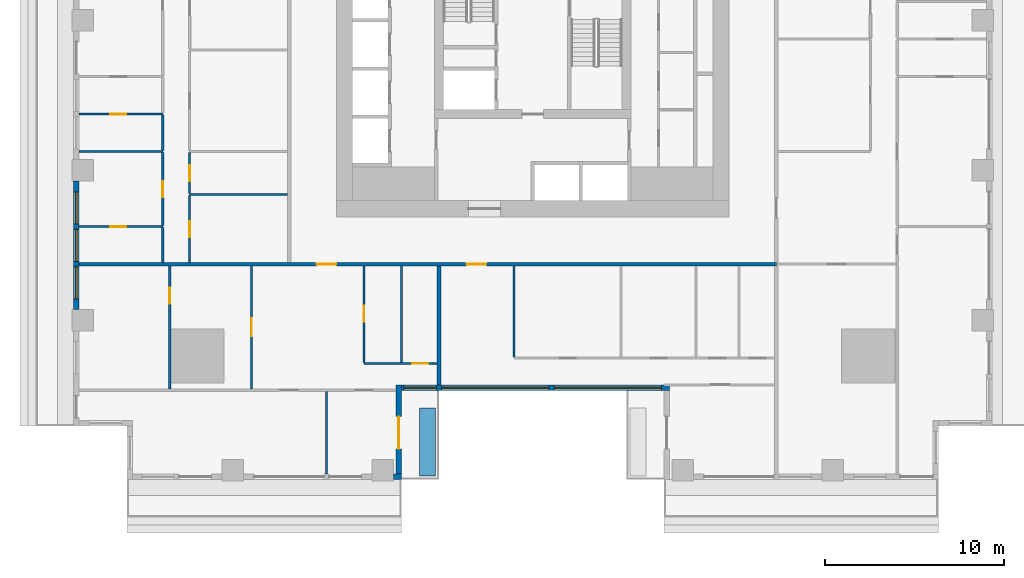
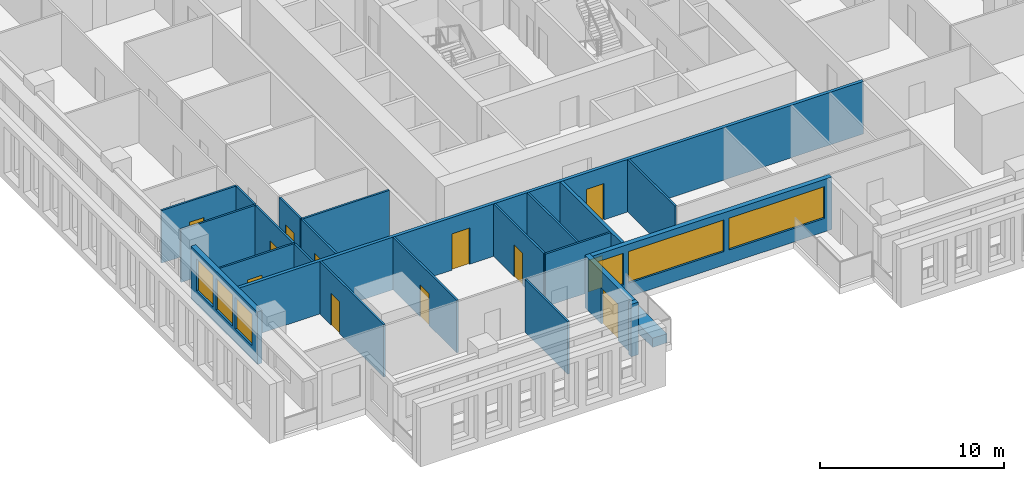
# One storey, part 2 of 15: 23 walls, 12 doors, 6 windows, 18 openings.
"""IFC4 building model written with IfcOpenShell, lengths in metres."""

from ifc_helpers import new_model, si_unit, direction, frame, frame_2d, origin, place, context, subcontext, project, spatial, rectangle, extrude, material, layer, layer_set, type_object, element, fill, save


model = new_model("IFC4")

# Units and contexts
model_context = context("Model", 3, precision=1e-05, world=origin(), true_north=direction((0.0, 1.0)))
body_context = subcontext(model_context, "Body", "Model", "MODEL_VIEW")
ifc_project = project(units=[si_unit("LENGTHUNIT", "METRE"), si_unit("AREAUNIT", "SQUARE_METRE"), si_unit("VOLUMEUNIT", "CUBIC_METRE"), si_unit("PLANEANGLEUNIT", "RADIAN"), si_unit("MASSUNIT", "GRAM", prefix="KILO")], contexts=[model_context])

# Site, building, storey
site_placement = place(None, origin())
site = spatial("IfcSite", under=ifc_project, at=site_placement, CompositionType="ELEMENT")
building_placement = place(site_placement, origin())
building = spatial("IfcBuilding", under=site, at=building_placement, Name="Khepri Terraces", CompositionType="ELEMENT")
storey_placement = place(building_placement, frame((0.0, 0.0, 42.60009765625)))
storey = spatial("IfcBuildingStorey", under=building, at=storey_placement, Name="L09", CompositionType="ELEMENT", Elevation=42.60009765625)

# Wall
ifc_material_1 = material(Name="Fire-rated gypsum plasterboard partition, mineral wool")
ifc_layer_1 = layer(ifc_material_1, 0.199951171875, Name="Fire-rated gypsum plasterboard partition, mineral wool")
ifc_layer_set_1 = layer_set([ifc_layer_1], Name="Fire-rated gypsum plasterboard partition, mineral wool")
wall_type_1 = type_object("IfcWallType", Name="WL-CORR-200", PredefinedType="PARTITIONING", material=ifc_layer_set_1)
wall_1_placement = place(storey_placement, frame((-5.25, -20.419921875, 0.0), z_axis=(0.0, 0.0, 1.0), x_axis=(0.0, 1.0, 0.0)))
element("IfcWall", 1, at=wall_1_placement, inside=storey, type_object=wall_type_1, Name="Partition P-005 L09", PredefinedType="PARTITIONING", context=body_context, shape_type="SweptSolid", body=[
    extrude(rectangle(XDim=6.669921875, YDim=0.199951171875, at=frame_2d((3.3349609375, 0.0))), origin(), (0.0, 0.0, 1.0), 3.47998046875),
])

# Wall, openings, doors
wall_2_placement = place(storey_placement, frame((-25.419921875, -13.64990234375, 0.0), z_axis=(0.0, 0.0, 1.0), x_axis=(1.0, 0.0, 0.0)))
wall_2 = element("IfcWall", 2, at=wall_2_placement, inside=storey, type_object=wall_type_1, Name="Partition P-018 L09", PredefinedType="PARTITIONING", context=body_context, shape_type="SweptSolid", body=[
    extrude(rectangle(XDim=39.06982421875, YDim=0.199951171875, at=frame_2d((19.534912109375, 0.0))), origin(), (0.0, 0.0, 1.0), 3.47998046875),
])
opening_1_placement = place(wall_2_placement, frame((13.320068359375, 0.0, 0.0)))
opening_1 = element("IfcOpeningElement", 3, at=opening_1_placement, cuts=wall_2, Name="Opening D1", PredefinedType="OPENING", context=body_context, shape_type="SweptSolid", body=[
    extrude(rectangle(XDim=1.10009765625, YDim=2.39990234375, at=frame_2d((0.550048828125, 1.199951171875))), frame((0.0, 0.10986328125, 0.0), z_axis=(0.0, -1.0, 0.0), x_axis=(1.0, 0.0, 0.0)), (0.0, 0.0, 1.0), 0.219970703125),
])
opening_2_placement = place(wall_2_placement, frame((21.719970703125, 0.0, 0.0)))
opening_2 = element("IfcOpeningElement", 4, at=opening_2_placement, cuts=wall_2, Name="Opening D1", PredefinedType="OPENING", context=body_context, shape_type="SweptSolid", body=[
    extrude(rectangle(XDim=1.10009765625, YDim=2.39990234375, at=frame_2d((0.550048828125, 1.199951171875))), frame((0.0, 0.10986328125, 0.0), z_axis=(0.0, -1.0, 0.0), x_axis=(1.0, 0.0, 0.0)), (0.0, 0.0, 1.0), 0.219970703125),
])
ifc_material_2 = material(Name="Solid-core timber door leaf, flat entrance door", Category="wood")
door_type_1 = type_object("IfcDoorType", Name="DR-ENT-1100", OperationType="NOTDEFINED", PredefinedType="DOOR", material=ifc_material_2)
door_1_placement = place(opening_1_placement, frame((1.10009765625, 0.0, 0.0), z_axis=(0.0, 0.0, 1.0), x_axis=(-1.0, 0.0, 0.0)))
door_1 = element("IfcDoor", 5, at=door_1_placement, inside=storey, type_object=door_type_1, Name="Flat A1 entrance door", OperationType="SINGLE_SWING_RIGHT", OverallHeight=2.39990234375, OverallWidth=1.10009765625, PredefinedType="DOOR", context=body_context, shape_type="SweptSolid", body=[
    extrude(rectangle(XDim=1.10009765625, YDim=2.39990234375, at=frame_2d((0.550048828125, 1.199951171875))), frame((0.0, 0.02490234375, 0.0), z_axis=(0.0, -1.0, 0.0), x_axis=(1.0, 0.0, 0.0)), (0.0, 0.0, 1.0), 0.050048828125),
])
fill(opening_1, door_1)
door_2_placement = place(opening_2_placement, frame((1.10009765625, 0.0, 0.0), z_axis=(0.0, 0.0, 1.0), x_axis=(-1.0, 0.0, 0.0)))
door_2 = element("IfcDoor", 6, at=door_2_placement, inside=storey, type_object=door_type_1, Name="Flat A2 entrance door", OperationType="SINGLE_SWING_LEFT", OverallHeight=2.39990234375, OverallWidth=1.10009765625, PredefinedType="DOOR", context=body_context, shape_type="SweptSolid", body=[
    extrude(rectangle(XDim=1.10009765625, YDim=2.39990234375, at=frame_2d((0.550048828125, 1.199951171875))), frame((0.0, 0.02490234375, 0.0), z_axis=(0.0, -1.0, 0.0), x_axis=(1.0, 0.0, 0.0)), (0.0, 0.0, 1.0), 0.050048828125),
])
fill(opening_2, door_2)

# Wall, openings, windows
ifc_material_3 = material(Name="Precast concrete C50/60 warm stone", Category="masonry")
ifc_layer_2 = layer(ifc_material_3, 0.300048828125, Name="Precast concrete C50/60 warm stone", Category="masonry")
ifc_layer_set_2 = layer_set([ifc_layer_2], Name="Precast concrete C50/60 warm stone")
wall_type_2 = type_object("IfcWallType", Name="WL-EXT-PRECAST-300", PredefinedType="STANDARD", material=ifc_layer_set_2)
wall_3_placement = place(storey_placement, frame((-25.570068359375, -9.0, 0.0), z_axis=(0.0, 0.0, 1.0), x_axis=(0.0, -1.0, 0.0)))
wall_3 = element("IfcWall", 7, at=wall_3_placement, inside=storey, type_object=wall_type_2, Name="External wall L09 W", PredefinedType="STANDARD", context=body_context, shape_type="SweptSolid", body=[
    extrude(rectangle(XDim=7.199951171875, YDim=0.300048828125, at=frame_2d((3.60009765625, 0.0))), origin(), (0.0, 0.0, 1.0), 3.47998046875),
])
opening_3_placement = place(wall_3_placement, frame((0.60009765625, 0.0, 0.89990234375)))
opening_3 = element("IfcOpeningElement", 8, at=opening_3_placement, cuts=wall_3, Name="Opening W1", PredefinedType="OPENING", context=body_context, shape_type="SweptSolid", body=[
    extrude(rectangle(XDim=1.800048828125, YDim=2.10009765625, at=frame_2d((0.89990234375, 1.050048828125))), frame((0.0, 0.16015625, 0.0), z_axis=(0.0, -1.0, 0.0), x_axis=(1.0, 0.0, 0.0)), (0.0, 0.0, 1.0), 0.320068359375),
])
opening_4_placement = place(wall_3_placement, frame((2.699951171875, 0.0, 0.89990234375)))
opening_4 = element("IfcOpeningElement", 9, at=opening_4_placement, cuts=wall_3, Name="Opening W1", PredefinedType="OPENING", context=body_context, shape_type="SweptSolid", body=[
    extrude(rectangle(XDim=1.800048828125, YDim=2.10009765625, at=frame_2d((0.89990234375, 1.050048828125))), frame((0.0, 0.16015625, 0.0), z_axis=(0.0, -1.0, 0.0), x_axis=(1.0, 0.0, 0.0)), (0.0, 0.0, 1.0), 0.320068359375),
])
opening_5_placement = place(wall_3_placement, frame((4.800048828125, 0.0, 0.89990234375)))
opening_5 = element("IfcOpeningElement", 10, at=opening_5_placement, cuts=wall_3, Name="Opening W1", PredefinedType="OPENING", context=body_context, shape_type="SweptSolid", body=[
    extrude(rectangle(XDim=1.800048828125, YDim=2.10009765625, at=frame_2d((0.89990234375, 1.050048828125))), frame((0.0, 0.16015625, 0.0), z_axis=(0.0, -1.0, 0.0), x_axis=(1.0, 0.0, 0.0)), (0.0, 0.0, 1.0), 0.320068359375),
])
ifc_material_4 = material(Name="Clear glass", Category="glass")
window_type_1 = type_object("IfcWindowType", Name="WIN-RES-1800x2100", PartitioningType="SINGLE_PANEL", PredefinedType="WINDOW", material=ifc_material_4)
window_1_placement = place(opening_3_placement, origin())
window_1 = element("IfcWindow", 11, at=window_1_placement, inside=storey, type_object=window_type_1, Name="Window L09 W", OverallHeight=2.10009765625, OverallWidth=1.800048828125, PartitioningType="SINGLE_PANEL", PredefinedType="WINDOW", context=body_context, shape_type="SweptSolid", body=[
    extrude(rectangle(XDim=1.800048828125, YDim=2.10009765625, at=frame_2d((0.89990234375, 1.050048828125))), frame((0.0, 0.030029296875, 0.0), z_axis=(0.0, -1.0, 0.0), x_axis=(1.0, 0.0, 0.0)), (0.0, 0.0, 1.0), 0.06005859375),
])
fill(opening_3, window_1)
window_2_placement = place(opening_4_placement, origin())
window_2 = element("IfcWindow", 12, at=window_2_placement, inside=storey, type_object=window_type_1, Name="Window L09 W", OverallHeight=2.10009765625, OverallWidth=1.800048828125, PartitioningType="SINGLE_PANEL", PredefinedType="WINDOW", context=body_context, shape_type="SweptSolid", body=[
    extrude(rectangle(XDim=1.800048828125, YDim=2.10009765625, at=frame_2d((0.89990234375, 1.050048828125))), frame((0.0, 0.030029296875, 0.0), z_axis=(0.0, -1.0, 0.0), x_axis=(1.0, 0.0, 0.0)), (0.0, 0.0, 1.0), 0.06005859375),
])
fill(opening_4, window_2)
window_3_placement = place(opening_5_placement, origin())
window_3 = element("IfcWindow", 13, at=window_3_placement, inside=storey, type_object=window_type_1, Name="Window L09 W", OverallHeight=2.10009765625, OverallWidth=1.800048828125, PartitioningType="SINGLE_PANEL", PredefinedType="WINDOW", context=body_context, shape_type="SweptSolid", body=[
    extrude(rectangle(XDim=1.800048828125, YDim=2.10009765625, at=frame_2d((0.89990234375, 1.050048828125))), frame((0.0, 0.030029296875, 0.0), z_axis=(0.0, -1.0, 0.0), x_axis=(1.0, 0.0, 0.0)), (0.0, 0.0, 1.0), 0.06005859375),
])
fill(opening_5, window_3)

# Wall
wall_4_placement = place(storey_placement, frame((-7.800048828125, -25.570068359375, 0.0), z_axis=(0.0, 0.0, 1.0), x_axis=(1.0, 0.0, 0.0)))
element("IfcWall", 14, at=wall_4_placement, inside=storey, type_object=wall_type_2, Name="External wall L09 S", PredefinedType="STANDARD", context=body_context, shape_type="SweptSolid", body=[
    extrude(rectangle(XDim=0.449951171875, YDim=0.300048828125, at=frame_2d((0.22509765625, 0.0))), origin(), (0.0, 0.0, 1.0), 3.47998046875),
])

# Wall, opening, door
wall_5_placement = place(storey_placement, frame((-7.5, -25.419921875, 0.0), z_axis=(0.0, 0.0, 1.0), x_axis=(0.0, 1.0, 0.0)))
wall_5 = element("IfcWall", 15, at=wall_5_placement, inside=storey, type_object=wall_type_2, Name="External wall L09 E", PredefinedType="STANDARD", context=body_context, shape_type="SweptSolid", body=[
    extrude(rectangle(XDim=5.0, YDim=0.300048828125, at=frame_2d((2.5, 0.0))), origin(), (0.0, 0.0, 1.0), 3.47998046875),
])
opening_6_placement = place(wall_5_placement, frame((1.419921875, 0.0, 0.0)))
opening_6 = element("IfcOpeningElement", 16, at=opening_6_placement, cuts=wall_5, Name="Opening ED-L09-22", PredefinedType="OPENING", context=body_context, shape_type="SweptSolid", body=[
    extrude(rectangle(XDim=1.800048828125, YDim=2.39990234375, at=frame_2d((0.89990234375, 1.199951171875))), frame((0.0, 0.16015625, 0.0), z_axis=(0.0, -1.0, 0.0), x_axis=(1.0, 0.0, 0.0)), (0.0, 0.0, 1.0), 0.320068359375),
])
ifc_material_5 = material(Name="Anodised aluminium bronze glazed door", Category="aluminium")
door_type_2 = type_object("IfcDoorType", Name="DR-BAL-SLIDE-1800x2400", OperationType="NOTDEFINED", PredefinedType="DOOR", material=ifc_material_5)
door_3_placement = place(opening_6_placement, origin())
door_3 = element("IfcDoor", 17, at=door_3_placement, inside=storey, type_object=door_type_2, Name="Balcony door L09 E", OperationType="SLIDING_TO_LEFT", OverallHeight=2.39990234375, OverallWidth=1.800048828125, PredefinedType="DOOR", context=body_context, shape_type="SweptSolid", body=[
    extrude(rectangle(XDim=1.800048828125, YDim=2.39990234375, at=frame_2d((0.89990234375, 1.199951171875))), frame((0.0, 0.02490234375, 0.0), z_axis=(0.0, -1.0, 0.0), x_axis=(1.0, 0.0, 0.0)), (0.0, 0.0, 1.0), 0.050048828125),
])
fill(opening_6, door_3)

# Wall, openings, windows
wall_6_placement = place(storey_placement, frame((-7.35009765625, -20.570068359375, 0.0), z_axis=(0.0, 0.0, 1.0), x_axis=(1.0, 0.0, 0.0)))
wall_6 = element("IfcWall", 18, at=wall_6_placement, inside=storey, type_object=wall_type_2, Name="External wall L09 S", PredefinedType="STANDARD", context=body_context, shape_type="SweptSolid", body=[
    extrude(rectangle(XDim=15.0, YDim=0.300048828125, at=frame_2d((7.5, 0.0))), origin(), (0.0, 0.0, 1.0), 3.47998046875),
])
opening_7_placement = place(wall_6_placement, frame((0.14990234375, 0.0, 0.89990234375)))
opening_7 = element("IfcOpeningElement", 19, at=opening_7_placement, cuts=wall_6, Name="Opening W1", PredefinedType="OPENING", context=body_context, shape_type="SweptSolid", body=[
    extrude(rectangle(XDim=1.800048828125, YDim=2.10009765625, at=frame_2d((0.89990234375, 1.050048828125))), frame((0.0, 0.16015625, 0.0), z_axis=(0.0, -1.0, 0.0), x_axis=(1.0, 0.0, 0.0)), (0.0, 0.0, 1.0), 0.320068359375),
])
opening_8_placement = place(wall_6_placement, frame((2.25, 0.0, 0.89990234375)))
opening_8 = element("IfcOpeningElement", 20, at=opening_8_placement, cuts=wall_6, Name="Opening W3", PredefinedType="OPENING", context=body_context, shape_type="SweptSolid", body=[
    extrude(rectangle(XDim=6.0, YDim=2.10009765625, at=frame_2d((3.0, 1.050048828125))), frame((0.0, 0.16015625, 0.0), z_axis=(0.0, -1.0, 0.0), x_axis=(1.0, 0.0, 0.0)), (0.0, 0.0, 1.0), 0.320068359375),
])
opening_9_placement = place(wall_6_placement, frame((8.550048828125, 0.0, 0.89990234375)))
opening_9 = element("IfcOpeningElement", 21, at=opening_9_placement, cuts=wall_6, Name="Opening W3", PredefinedType="OPENING", context=body_context, shape_type="SweptSolid", body=[
    extrude(rectangle(XDim=6.0, YDim=2.10009765625, at=frame_2d((3.0, 1.050048828125))), frame((0.0, 0.16015625, 0.0), z_axis=(0.0, -1.0, 0.0), x_axis=(1.0, 0.0, 0.0)), (0.0, 0.0, 1.0), 0.320068359375),
])
window_4_placement = place(opening_7_placement, origin())
window_4 = element("IfcWindow", 22, at=window_4_placement, inside=storey, type_object=window_type_1, Name="Window L09 S", OverallHeight=2.10009765625, OverallWidth=1.800048828125, PartitioningType="SINGLE_PANEL", PredefinedType="WINDOW", context=body_context, shape_type="SweptSolid", body=[
    extrude(rectangle(XDim=1.800048828125, YDim=2.10009765625, at=frame_2d((0.89990234375, 1.050048828125))), frame((0.0, 0.030029296875, 0.0), z_axis=(0.0, -1.0, 0.0), x_axis=(1.0, 0.0, 0.0)), (0.0, 0.0, 1.0), 0.06005859375),
])
fill(opening_7, window_4)
window_type_2 = type_object("IfcWindowType", Name="WIN-RES-6000x2100", PartitioningType="SINGLE_PANEL", PredefinedType="WINDOW", material=ifc_material_4)
window_5_placement = place(opening_8_placement, origin())
window_5 = element("IfcWindow", 23, at=window_5_placement, inside=storey, type_object=window_type_2, Name="Window L09 S", OverallHeight=2.10009765625, OverallWidth=6.0, PartitioningType="SINGLE_PANEL", PredefinedType="WINDOW", context=body_context, shape_type="SweptSolid", body=[
    extrude(rectangle(XDim=6.0, YDim=2.10009765625, at=frame_2d((3.0, 1.050048828125))), frame((0.0, 0.030029296875, 0.0), z_axis=(0.0, -1.0, 0.0), x_axis=(1.0, 0.0, 0.0)), (0.0, 0.0, 1.0), 0.06005859375),
])
fill(opening_8, window_5)
window_6_placement = place(opening_9_placement, origin())
window_6 = element("IfcWindow", 24, at=window_6_placement, inside=storey, type_object=window_type_2, Name="Window L09 S", OverallHeight=2.10009765625, OverallWidth=6.0, PartitioningType="SINGLE_PANEL", PredefinedType="WINDOW", context=body_context, shape_type="SweptSolid", body=[
    extrude(rectangle(XDim=6.0, YDim=2.10009765625, at=frame_2d((3.0, 1.050048828125))), frame((0.0, 0.030029296875, 0.0), z_axis=(0.0, -1.0, 0.0), x_axis=(1.0, 0.0, 0.0)), (0.0, 0.0, 1.0), 0.06005859375),
])
fill(opening_9, window_6)

# Wall
ifc_material_6 = material(Name="Gypsum plasterboard partition")
ifc_layer_3 = layer(ifc_material_6, 0.1201171875, Name="Gypsum plasterboard partition")
ifc_layer_set_3 = layer_set([ifc_layer_3], Name="Gypsum plasterboard partition")
wall_type_3 = type_object("IfcWallType", Name="WL-PART-120", PredefinedType="PARTITIONING", material=ifc_layer_set_3)
wall_7_placement = place(storey_placement, frame((-11.550048828125, -25.419921875, 0.0), z_axis=(0.0, 0.0, 1.0), x_axis=(0.0, 1.0, 0.0)))
element("IfcWall", 25, at=wall_7_placement, inside=storey, type_object=wall_type_3, Name="Partition P-001 L09", PredefinedType="PARTITIONING", context=body_context, shape_type="SweptSolid", body=[
    extrude(rectangle(XDim=4.639892578125, YDim=0.1201171875, at=frame_2d((2.31982421875, 0.0))), origin(), (0.0, 0.0, 1.0), 3.47998046875),
])

# Wall, opening, door
wall_8_placement = place(storey_placement, frame((-20.333984375, -20.659912109375, 0.0), z_axis=(0.0, 0.0, 1.0), x_axis=(0.0, 1.0, 0.0)))
wall_8 = element("IfcWall", 26, at=wall_8_placement, inside=storey, type_object=wall_type_3, Name="Partition P-007 L09", PredefinedType="PARTITIONING", context=body_context, shape_type="SweptSolid", body=[
    extrude(rectangle(XDim=6.909912109375, YDim=0.1201171875, at=frame_2d((3.455078125, 0.0))), origin(), (0.0, 0.0, 1.0), 3.47998046875),
])
opening_10_placement = place(wall_8_placement, frame((4.79248046875, 0.0, 0.0)))
opening_10 = element("IfcOpeningElement", 27, at=opening_10_placement, cuts=wall_8, Name="Opening D3", PredefinedType="OPENING", context=body_context, shape_type="SweptSolid", body=[
    extrude(rectangle(XDim=0.89990234375, YDim=2.10009765625, at=frame_2d((0.449951171875, 1.050048828125))), frame((0.0, 0.070068359375, 0.0), z_axis=(0.0, -1.0, 0.0), x_axis=(1.0, 0.0, 0.0)), (0.0, 0.0, 1.0), 0.14013671875),
])
ifc_material_7 = material(Name="Timber door leaf", Category="wood")
door_type_3 = type_object("IfcDoorType", Name="DR-INT-900", OperationType="NOTDEFINED", PredefinedType="DOOR", material=ifc_material_7)
door_4_placement = place(opening_10_placement, origin())
door_4 = element("IfcDoor", 28, at=door_4_placement, inside=storey, type_object=door_type_3, Name="Door Staff Bedroom", OperationType="SINGLE_SWING_RIGHT", OverallHeight=2.10009765625, OverallWidth=0.89990234375, PredefinedType="DOOR", context=body_context, shape_type="SweptSolid", body=[
    extrude(rectangle(XDim=0.89990234375, YDim=2.10009765625, at=frame_2d((0.449951171875, 1.050048828125))), frame((0.0, 0.02490234375, 0.0), z_axis=(0.0, -1.0, 0.0), x_axis=(1.0, 0.0, 0.0)), (0.0, 0.0, 1.0), 0.050048828125),
])
fill(opening_10, door_4)

wall_9_placement = place(storey_placement, frame((-15.75, -20.659912109375, 0.0), z_axis=(0.0, 0.0, 1.0), x_axis=(0.0, 1.0, 0.0)))
wall_9 = element("IfcWall", 29, at=wall_9_placement, inside=storey, type_object=wall_type_3, Name="Partition P-008 L09", PredefinedType="PARTITIONING", context=body_context, shape_type="SweptSolid", body=[
    extrude(rectangle(XDim=6.909912109375, YDim=0.1201171875, at=frame_2d((3.455078125, 0.0))), origin(), (0.0, 0.0, 1.0), 3.47998046875),
])
opening_11_placement = place(wall_9_placement, frame((2.97509765625, 0.0, 0.0)))
opening_11 = element("IfcOpeningElement", 30, at=opening_11_placement, cuts=wall_9, Name="Opening D2", PredefinedType="OPENING", context=body_context, shape_type="SweptSolid", body=[
    extrude(rectangle(XDim=1.0, YDim=2.10009765625, at=frame_2d((0.5, 1.050048828125))), frame((0.0, 0.070068359375, 0.0), z_axis=(0.0, -1.0, 0.0), x_axis=(1.0, 0.0, 0.0)), (0.0, 0.0, 1.0), 0.14013671875),
])
ifc_material_8 = material(Name="Timber door leaf, living room door", Category="wood")
door_type_4 = type_object("IfcDoorType", Name="DR-INT-1000", OperationType="NOTDEFINED", PredefinedType="DOOR", material=ifc_material_8)
door_5_placement = place(opening_11_placement, origin())
door_5 = element("IfcDoor", 31, at=door_5_placement, inside=storey, type_object=door_type_4, Name="Door Family Room", OperationType="SINGLE_SWING_RIGHT", OverallHeight=2.10009765625, OverallWidth=1.0, PredefinedType="DOOR", context=body_context, shape_type="SweptSolid", body=[
    extrude(rectangle(XDim=1.0, YDim=2.10009765625, at=frame_2d((0.5, 1.050048828125))), frame((0.0, 0.02490234375, 0.0), z_axis=(0.0, -1.0, 0.0), x_axis=(1.0, 0.0, 0.0)), (0.0, 0.0, 1.0), 0.050048828125),
])
fill(opening_11, door_5)

wall_10_placement = place(storey_placement, frame((-9.449951171875, -19.219970703125, 0.0), z_axis=(0.0, 0.0, 1.0), x_axis=(1.0, 0.0, 0.0)))
wall_10 = element("IfcWall", 32, at=wall_10_placement, inside=storey, type_object=wall_type_3, Name="Partition P-010 L09", PredefinedType="PARTITIONING", context=body_context, shape_type="SweptSolid", body=[
    extrude(rectangle(XDim=4.099853515625, YDim=0.1201171875, at=frame_2d((2.0498046875, 0.0))), origin(), (0.0, 0.0, 1.0), 3.47998046875),
])
opening_12_placement = place(wall_10_placement, frame((2.699951171875, 0.0, 0.0)))
opening_12 = element("IfcOpeningElement", 33, at=opening_12_placement, cuts=wall_10, Name="Opening D3", PredefinedType="OPENING", context=body_context, shape_type="SweptSolid", body=[
    extrude(rectangle(XDim=0.89990234375, YDim=2.10009765625, at=frame_2d((0.449951171875, 1.050048828125))), frame((0.0, 0.070068359375, 0.0), z_axis=(0.0, -1.0, 0.0), x_axis=(1.0, 0.0, 0.0)), (0.0, 0.0, 1.0), 0.14013671875),
])
door_6_placement = place(opening_12_placement, origin())
door_6 = element("IfcDoor", 34, at=door_6_placement, inside=storey, type_object=door_type_3, Name="Door Kitchen", OperationType="SINGLE_SWING_RIGHT", OverallHeight=2.10009765625, OverallWidth=0.89990234375, PredefinedType="DOOR", context=body_context, shape_type="SweptSolid", body=[
    extrude(rectangle(XDim=0.89990234375, YDim=2.10009765625, at=frame_2d((0.449951171875, 1.050048828125))), frame((0.0, 0.02490234375, 0.0), z_axis=(0.0, -1.0, 0.0), x_axis=(1.0, 0.0, 0.0)), (0.0, 0.0, 1.0), 0.050048828125),
])
fill(opening_12, door_6)

wall_11_placement = place(storey_placement, frame((-9.449951171875, -19.159912109375, 0.0), z_axis=(0.0, 0.0, 1.0), x_axis=(0.0, 1.0, 0.0)))
wall_11 = element("IfcWall", 35, at=wall_11_placement, inside=storey, type_object=wall_type_3, Name="Partition P-011 L09", PredefinedType="PARTITIONING", context=body_context, shape_type="SweptSolid", body=[
    extrude(rectangle(XDim=5.409912109375, YDim=0.1201171875, at=frame_2d((2.705078125, 0.0))), origin(), (0.0, 0.0, 1.0), 3.47998046875),
])
opening_13_placement = place(wall_11_placement, frame((2.27490234375, 0.0, 0.0)))
opening_13 = element("IfcOpeningElement", 36, at=opening_13_placement, cuts=wall_11, Name="Opening D4", PredefinedType="OPENING", context=body_context, shape_type="SweptSolid", body=[
    extrude(rectangle(XDim=0.89990234375, YDim=2.10009765625, at=frame_2d((0.449951171875, 1.050048828125))), frame((0.0, 0.070068359375, 0.0), z_axis=(0.0, -1.0, 0.0), x_axis=(1.0, 0.0, 0.0)), (0.0, 0.0, 1.0), 0.14013671875),
])
ifc_material_9 = material(Name="Timber door leaf, moisture resistant", Category="wood")
door_type_5 = type_object("IfcDoorType", Name="DR-WET-900", OperationType="NOTDEFINED", PredefinedType="DOOR", material=ifc_material_9)
door_7_placement = place(opening_13_placement, frame((0.89990234375, 0.0, 0.0), z_axis=(0.0, 0.0, 1.0), x_axis=(-1.0, 0.0, 0.0)))
door_7 = element("IfcDoor", 37, at=door_7_placement, inside=storey, type_object=door_type_5, Name="Door Guest Bathroom", OperationType="SINGLE_SWING_LEFT", OverallHeight=2.10009765625, OverallWidth=0.89990234375, PredefinedType="DOOR", context=body_context, shape_type="SweptSolid", body=[
    extrude(rectangle(XDim=0.89990234375, YDim=2.10009765625, at=frame_2d((0.449951171875, 1.050048828125))), frame((0.0, 0.02490234375, 0.0), z_axis=(0.0, -1.0, 0.0), x_axis=(1.0, 0.0, 0.0)), (0.0, 0.0, 1.0), 0.050048828125),
])
fill(opening_13, door_7)

# Walls
wall_12_placement = place(storey_placement, frame((-7.35009765625, -19.159912109375, 0.0), z_axis=(0.0, 0.0, 1.0), x_axis=(0.0, 1.0, 0.0)))
element("IfcWall", 38, at=wall_12_placement, inside=storey, type_object=wall_type_3, Name="Partition P-012 L09", PredefinedType="PARTITIONING", context=body_context, shape_type="SweptSolid", body=[
    extrude(rectangle(XDim=5.409912109375, YDim=0.1201171875, at=frame_2d((2.705078125, 0.0))), origin(), (0.0, 0.0, 1.0), 3.47998046875),
])
wall_13_placement = place(storey_placement, frame((-1.050048828125, -18.860107421875, 0.0), z_axis=(0.0, 0.0, 1.0), x_axis=(0.0, 1.0, 0.0)))
element("IfcWall", 39, at=wall_13_placement, inside=storey, type_object=wall_type_3, Name="Partition P-014 L09", PredefinedType="PARTITIONING", context=body_context, shape_type="SweptSolid", body=[
    extrude(rectangle(XDim=5.110107421875, YDim=0.1201171875, at=frame_2d((2.55517578125, 0.0))), origin(), (0.0, 0.0, 1.0), 3.47998046875),
])
wall_14_placement = place(storey_placement, frame((-20.719970703125, -13.550048828125, 0.0), z_axis=(0.0, 0.0, 1.0), x_axis=(0.0, 1.0, 0.0)))
element("IfcWall", 40, at=wall_14_placement, inside=storey, type_object=wall_type_3, Name="Partition P-021 L09", PredefinedType="PARTITIONING", context=body_context, shape_type="SweptSolid", body=[
    extrude(rectangle(XDim=1.93994140625, YDim=0.1201171875, at=frame_2d((0.969970703125, 0.0))), origin(), (0.0, 0.0, 1.0), 3.47998046875),
])

# Wall, opening, door
wall_15_placement = place(storey_placement, frame((-19.219970703125, -13.550048828125, 0.0), z_axis=(0.0, 0.0, 1.0), x_axis=(0.0, 1.0, 0.0)))
wall_15 = element("IfcWall", 41, at=wall_15_placement, inside=storey, type_object=wall_type_3, Name="Partition P-022 L09", PredefinedType="PARTITIONING", context=body_context, shape_type="SweptSolid", body=[
    extrude(rectangle(XDim=3.739990234375, YDim=0.1201171875, at=frame_2d((1.8701171875, 0.0))), origin(), (0.0, 0.0, 1.0), 3.47998046875),
])
opening_14_placement = place(wall_15_placement, frame((1.39990234375, 0.0, 0.0)))
opening_14 = element("IfcOpeningElement", 42, at=opening_14_placement, cuts=wall_15, Name="Opening D4", PredefinedType="OPENING", context=body_context, shape_type="SweptSolid", body=[
    extrude(rectangle(XDim=0.89990234375, YDim=2.10009765625, at=frame_2d((0.449951171875, 1.050048828125))), frame((0.0, 0.070068359375, 0.0), z_axis=(0.0, -1.0, 0.0), x_axis=(1.0, 0.0, 0.0)), (0.0, 0.0, 1.0), 0.14013671875),
])
door_8_placement = place(opening_14_placement, frame((0.89990234375, 0.0, 0.0), z_axis=(0.0, 0.0, 1.0), x_axis=(-1.0, 0.0, 0.0)))
door_8 = element("IfcDoor", 43, at=door_8_placement, inside=storey, type_object=door_type_5, Name="Door Guest Bathroom", OperationType="SINGLE_SWING_RIGHT", OverallHeight=2.10009765625, OverallWidth=0.89990234375, PredefinedType="DOOR", context=body_context, shape_type="SweptSolid", body=[
    extrude(rectangle(XDim=0.89990234375, YDim=2.10009765625, at=frame_2d((0.449951171875, 1.050048828125))), frame((0.0, 0.02490234375, 0.0), z_axis=(0.0, -1.0, 0.0), x_axis=(1.0, 0.0, 0.0)), (0.0, 0.0, 1.0), 0.050048828125),
])
fill(opening_14, door_8)

wall_16_placement = place(storey_placement, frame((-25.419921875, -11.550048828125, 0.0), z_axis=(0.0, 0.0, 1.0), x_axis=(1.0, 0.0, 0.0)))
wall_16 = element("IfcWall", 44, at=wall_16_placement, inside=storey, type_object=wall_type_3, Name="Partition P-025 L09", PredefinedType="PARTITIONING", context=body_context, shape_type="SweptSolid", body=[
    extrude(rectangle(XDim=4.699951171875, YDim=0.1201171875, at=frame_2d((2.35009765625, 0.0))), origin(), (0.0, 0.0, 1.0), 3.47998046875),
])
opening_15_placement = place(wall_16_placement, frame((1.75, 0.0, 0.0)))
opening_15 = element("IfcOpeningElement", 45, at=opening_15_placement, cuts=wall_16, Name="Opening D4", PredefinedType="OPENING", context=body_context, shape_type="SweptSolid", body=[
    extrude(rectangle(XDim=0.89990234375, YDim=2.10009765625, at=frame_2d((0.449951171875, 1.050048828125))), frame((0.0, 0.070068359375, 0.0), z_axis=(0.0, -1.0, 0.0), x_axis=(1.0, 0.0, 0.0)), (0.0, 0.0, 1.0), 0.14013671875),
])
door_9_placement = place(opening_15_placement, frame((0.89990234375, 0.0, 0.0), z_axis=(0.0, 0.0, 1.0), x_axis=(-1.0, 0.0, 0.0)))
door_9 = element("IfcDoor", 46, at=door_9_placement, inside=storey, type_object=door_type_5, Name="Door Bathroom", OperationType="SINGLE_SWING_RIGHT", OverallHeight=2.10009765625, OverallWidth=0.89990234375, PredefinedType="DOOR", context=body_context, shape_type="SweptSolid", body=[
    extrude(rectangle(XDim=0.89990234375, YDim=2.10009765625, at=frame_2d((0.449951171875, 1.050048828125))), frame((0.0, 0.02490234375, 0.0), z_axis=(0.0, -1.0, 0.0), x_axis=(1.0, 0.0, 0.0)), (0.0, 0.0, 1.0), 0.050048828125),
])
fill(opening_15, door_9)

wall_17_placement = place(storey_placement, frame((-20.719970703125, -11.489990234375, 0.0), z_axis=(0.0, 0.0, 1.0), x_axis=(0.0, 1.0, 0.0)))
wall_17 = element("IfcWall", 47, at=wall_17_placement, inside=storey, type_object=wall_type_3, Name="Partition P-027 L09", PredefinedType="PARTITIONING", context=body_context, shape_type="SweptSolid", body=[
    extrude(rectangle(XDim=4.080078125, YDim=0.1201171875, at=frame_2d((2.0400390625, 0.0))), origin(), (0.0, 0.0, 1.0), 3.47998046875),
])
opening_16_placement = place(wall_17_placement, frame((1.590087890625, 0.0, 0.0)))
opening_16 = element("IfcOpeningElement", 48, at=opening_16_placement, cuts=wall_17, Name="Opening D3", PredefinedType="OPENING", context=body_context, shape_type="SweptSolid", body=[
    extrude(rectangle(XDim=0.89990234375, YDim=2.10009765625, at=frame_2d((0.449951171875, 1.050048828125))), frame((0.0, 0.070068359375, 0.0), z_axis=(0.0, -1.0, 0.0), x_axis=(1.0, 0.0, 0.0)), (0.0, 0.0, 1.0), 0.14013671875),
])
door_10_placement = place(opening_16_placement, origin())
door_10 = element("IfcDoor", 49, at=door_10_placement, inside=storey, type_object=door_type_3, Name="Door Bedroom", OperationType="SINGLE_SWING_RIGHT", OverallHeight=2.10009765625, OverallWidth=0.89990234375, PredefinedType="DOOR", context=body_context, shape_type="SweptSolid", body=[
    extrude(rectangle(XDim=0.89990234375, YDim=2.10009765625, at=frame_2d((0.449951171875, 1.050048828125))), frame((0.0, 0.02490234375, 0.0), z_axis=(0.0, -1.0, 0.0), x_axis=(1.0, 0.0, 0.0)), (0.0, 0.0, 1.0), 0.050048828125),
])
fill(opening_16, door_10)

# Wall
wall_18_placement = place(storey_placement, frame((-19.219970703125, -9.75, 0.0), z_axis=(0.0, 0.0, 1.0), x_axis=(1.0, 0.0, 0.0)))
element("IfcWall", 50, at=wall_18_placement, inside=storey, type_object=wall_type_3, Name="Partition P-029 L09", PredefinedType="PARTITIONING", context=body_context, shape_type="SweptSolid", body=[
    extrude(rectangle(XDim=5.469970703125, YDim=0.1201171875, at=frame_2d((2.73486328125, 0.0))), origin(), (0.0, 0.0, 1.0), 3.47998046875),
])

# Wall, opening, door
wall_19_placement = place(storey_placement, frame((-19.219970703125, -9.68994140625, 0.0), z_axis=(0.0, 0.0, 1.0), x_axis=(0.0, 1.0, 0.0)))
wall_19 = element("IfcWall", 51, at=wall_19_placement, inside=storey, type_object=wall_type_3, Name="Partition P-030 L09", PredefinedType="PARTITIONING", context=body_context, shape_type="SweptSolid", body=[
    extrude(rectangle(XDim=2.280029296875, YDim=0.1201171875, at=frame_2d((1.14013671875, 0.0))), origin(), (0.0, 0.0, 1.0), 3.47998046875),
])
opening_17_placement = place(wall_19_placement, frame((0.68994140625, 0.0, 0.0)))
opening_17 = element("IfcOpeningElement", 52, at=opening_17_placement, cuts=wall_19, Name="Opening D4", PredefinedType="OPENING", context=body_context, shape_type="SweptSolid", body=[
    extrude(rectangle(XDim=0.89990234375, YDim=2.10009765625, at=frame_2d((0.449951171875, 1.050048828125))), frame((0.0, 0.070068359375, 0.0), z_axis=(0.0, -1.0, 0.0), x_axis=(1.0, 0.0, 0.0)), (0.0, 0.0, 1.0), 0.14013671875),
])
door_11_placement = place(opening_17_placement, frame((0.89990234375, 0.0, 0.0), z_axis=(0.0, 0.0, 1.0), x_axis=(-1.0, 0.0, 0.0)))
door_11 = element("IfcDoor", 53, at=door_11_placement, inside=storey, type_object=door_type_5, Name="Door Powder Room", OperationType="SINGLE_SWING_RIGHT", OverallHeight=2.10009765625, OverallWidth=0.89990234375, PredefinedType="DOOR", context=body_context, shape_type="SweptSolid", body=[
    extrude(rectangle(XDim=0.89990234375, YDim=2.10009765625, at=frame_2d((0.449951171875, 1.050048828125))), frame((0.0, 0.02490234375, 0.0), z_axis=(0.0, -1.0, 0.0), x_axis=(1.0, 0.0, 0.0)), (0.0, 0.0, 1.0), 0.050048828125),
])
fill(opening_17, door_11)

# Walls
wall_20_placement = place(storey_placement, frame((-25.419921875, -7.35009765625, 0.0), z_axis=(0.0, 0.0, 1.0), x_axis=(1.0, 0.0, 0.0)))
element("IfcWall", 54, at=wall_20_placement, inside=storey, type_object=wall_type_3, Name="Partition P-031 L09", PredefinedType="PARTITIONING", context=body_context, shape_type="SweptSolid", body=[
    extrude(rectangle(XDim=4.699951171875, YDim=0.1201171875, at=frame_2d((2.35009765625, 0.0))), origin(), (0.0, 0.0, 1.0), 3.47998046875),
])
wall_21_placement = place(storey_placement, frame((-20.719970703125, -7.2900390625, 0.0), z_axis=(0.0, 0.0, 1.0), x_axis=(0.0, 1.0, 0.0)))
element("IfcWall", 55, at=wall_21_placement, inside=storey, type_object=wall_type_3, Name="Partition P-034 L09", PredefinedType="PARTITIONING", context=body_context, shape_type="SweptSolid", body=[
    extrude(rectangle(XDim=1.97998046875, YDim=0.1201171875, at=frame_2d((0.989990234375, 0.0))), origin(), (0.0, 0.0, 1.0), 3.47998046875),
])

# Wall, opening, door
wall_22_placement = place(storey_placement, frame((-25.419921875, -5.25, 0.0), z_axis=(0.0, 0.0, 1.0), x_axis=(1.0, 0.0, 0.0)))
wall_22 = element("IfcWall", 56, at=wall_22_placement, inside=storey, type_object=wall_type_3, Name="Partition P-037 L09", PredefinedType="PARTITIONING", context=body_context, shape_type="SweptSolid", body=[
    extrude(rectangle(XDim=4.699951171875, YDim=0.1201171875, at=frame_2d((2.35009765625, 0.0))), origin(), (0.0, 0.0, 1.0), 3.47998046875),
])
opening_18_placement = place(wall_22_placement, frame((1.75, 0.0, 0.0)))
opening_18 = element("IfcOpeningElement", 57, at=opening_18_placement, cuts=wall_22, Name="Opening D4", PredefinedType="OPENING", context=body_context, shape_type="SweptSolid", body=[
    extrude(rectangle(XDim=0.89990234375, YDim=2.10009765625, at=frame_2d((0.449951171875, 1.050048828125))), frame((0.0, 0.070068359375, 0.0), z_axis=(0.0, -1.0, 0.0), x_axis=(1.0, 0.0, 0.0)), (0.0, 0.0, 1.0), 0.14013671875),
])
door_12_placement = place(opening_18_placement, frame((0.89990234375, 0.0, 0.0), z_axis=(0.0, 0.0, 1.0), x_axis=(-1.0, 0.0, 0.0)))
door_12 = element("IfcDoor", 58, at=door_12_placement, inside=storey, type_object=door_type_5, Name="Door Bathroom", OperationType="SINGLE_SWING_RIGHT", OverallHeight=2.10009765625, OverallWidth=0.89990234375, PredefinedType="DOOR", context=body_context, shape_type="SweptSolid", body=[
    extrude(rectangle(XDim=0.89990234375, YDim=2.10009765625, at=frame_2d((0.449951171875, 1.050048828125))), frame((0.0, 0.02490234375, 0.0), z_axis=(0.0, -1.0, 0.0), x_axis=(1.0, 0.0, 0.0)), (0.0, 0.0, 1.0), 0.050048828125),
])
fill(opening_18, door_12)

# Wall
ifc_layer_4 = layer(ifc_material_3, 0.89990234375, Name="Precast concrete C50/60 warm stone", Category="masonry")
ifc_layer_set_4 = layer_set([ifc_layer_4], Name="Precast concrete C50/60 warm stone")
wall_type_4 = type_object("IfcWallType", Name="WL-PLANTER-900", PredefinedType="MOVABLE", material=ifc_layer_set_4)
wall_23_placement = place(storey_placement, frame((-5.89990234375, -25.52001953125, 0.0), z_axis=(0.0, 0.0, 1.0), x_axis=(0.0, 1.0, 0.0)))
element("IfcWall", 59, at=wall_23_placement, inside=storey, type_object=wall_type_4, Name="Planter L09", PredefinedType="MOVABLE", context=body_context, shape_type="SweptSolid", body=[
    extrude(rectangle(XDim=3.800048828125, YDim=0.89990234375, at=frame_2d((1.89990234375, 0.0))), origin(), (0.0, 0.0, 1.0), 0.599853515625),
])

save(model, "model.ifc")
